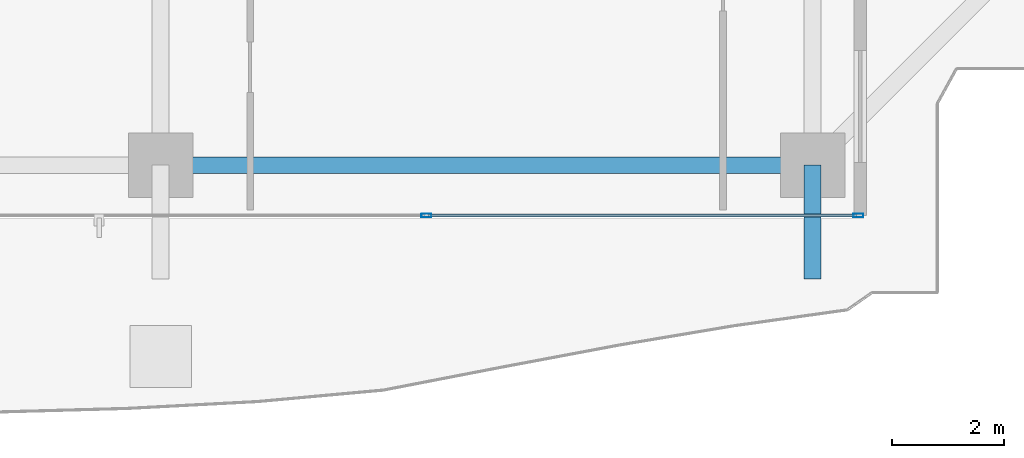
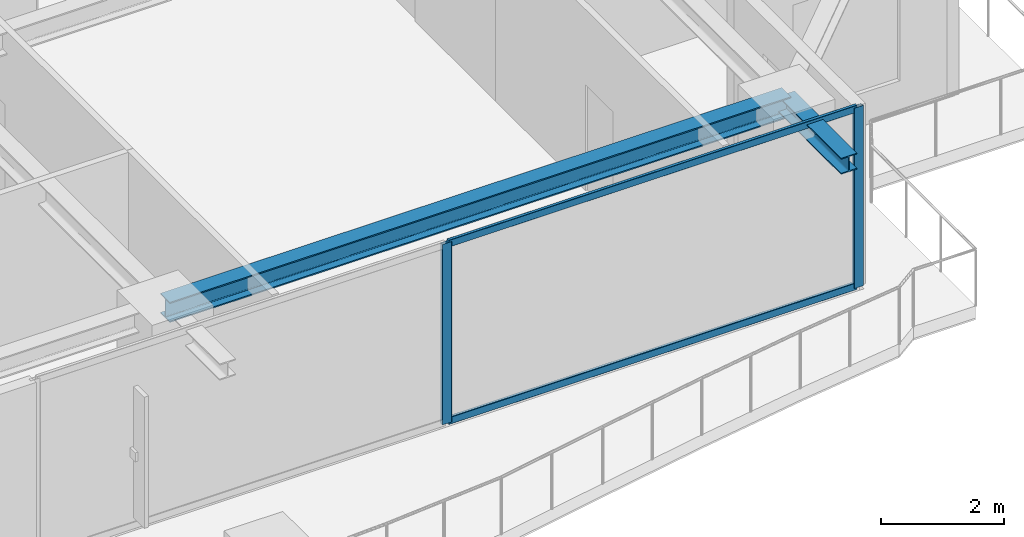
# One storey, part 11 of 37: 4 members, 2 beams, 1 element without a shape of its own.
"""IFC4 building model written with IfcOpenShell, lengths in metres."""

from ifc_helpers import new_model, si_unit, direction, frame, origin, origin_2d, place, context, subcontext, project, spatial, hollow_rectangle, i_section, extrude, source, transform, mapped, material, layer, layer_set, material_profile, profile_set, type_object, element, aggregate, save


model = new_model("IFC4")

# Units and contexts
model_context = context("Model", 3, precision=1e-05, world=origin(), true_north=direction((0.0, 1.0)))
body_context = subcontext(model_context, "Body", "Model", "MODEL_VIEW")
ifc_project = project(units=[si_unit("LENGTHUNIT", "METRE"), si_unit("AREAUNIT", "SQUARE_METRE"), si_unit("VOLUMEUNIT", "CUBIC_METRE"), si_unit("PLANEANGLEUNIT", "RADIAN"), si_unit("MASSUNIT", "GRAM", prefix="KILO")], contexts=[model_context])

# Site, building, storey
site_placement = place(None, origin())
site = spatial("IfcSite", under=ifc_project, at=site_placement, CompositionType="ELEMENT")
building_placement = place(site_placement, origin())
building = spatial("IfcBuilding", under=site, at=building_placement, Name="Serunith Strait Residences", CompositionType="ELEMENT")
storey_placement = place(building_placement, frame((0.0, 0.0, 218.14990234375)))
storey = spatial("IfcBuildingStorey", under=building, at=storey_placement, Name="L54", CompositionType="ELEMENT", Elevation=218.14990234375)

# Beams
ifc_material_1 = material(Name="Steel S355J2", Category="steel")
ifc_material_profile_1 = material_profile(ifc_material_1, i_section(OverallWidth=0.300048828125, OverallDepth=0.39990234375, WebThickness=0.013427734375, FlangeThickness=0.02392578125, FilletRadius=0.027099609375, at=origin_2d()), Name="HEB 400")
ifc_profile_set_1 = profile_set([ifc_material_profile_1], Name="Steel S355J2")
beam_type_1 = type_object("IfcBeamType", Name="BM-HEB400", PredefinedType="BEAM", material=ifc_profile_set_1)
shared_shape_1 = source(origin(), body_context, "Body", "SweptSolid", [
    extrude(i_section(OverallWidth=0.300048828125, OverallDepth=0.39990234375, WebThickness=0.013427734375, FlangeThickness=0.02392578125, FilletRadius=0.027099609375, at=origin_2d()), origin(), (0.0, 0.0, 1.0), 11.650146484375),
])
beam_1_placement = place(storey_placement, frame((36.89990234375, 2.10009765625, 3.38720703125), z_axis=(1.0, 0.0, 0.0), x_axis=(0.0, 1.0, 0.0)))
element("IfcBeam", 1, at=beam_1_placement, inside=storey, type_object=beam_type_1, Name="L54 Perimeter Ring Beam 03", PredefinedType="BEAM", context=body_context, shape_type="MappedRepresentation", body=[
    mapped(shared_shape_1, transform((0.0, 0.0, 0.0), scale=1.0)),
])
ifc_material_profile_2 = material_profile(ifc_material_1, i_section(OverallWidth=0.300048828125, OverallDepth=0.320068359375, WebThickness=0.011474609375, FlangeThickness=0.0205078125, FilletRadius=0.027099609375, at=origin_2d()), Name="HEB 320")
ifc_profile_set_2 = profile_set([ifc_material_profile_2], Name="Steel S355J2")
beam_type_2 = type_object("IfcBeamType", Name="BM-HEB320", PredefinedType="BEAM", material=ifc_profile_set_2)
shared_shape_2 = source(origin(), body_context, "Body", "SweptSolid", [
    extrude(i_section(OverallWidth=0.300048828125, OverallDepth=0.320068359375, WebThickness=0.011474609375, FlangeThickness=0.0205078125, FilletRadius=0.027099609375, at=origin_2d()), origin(), (0.0, 0.0, 1.0), 2.030029296875),
])
beam_2_placement = place(storey_placement, frame((48.550048828125, 2.10009765625, 3.397216796875), z_axis=(0.0, -1.0, 0.0), x_axis=(1.0, 0.0, 0.0)))
element("IfcBeam", 2, at=beam_2_placement, inside=storey, type_object=beam_type_2, Name="L55 Cantilevered Balcony Rib TC-S4", PredefinedType="BEAM", context=body_context, shape_type="MappedRepresentation", body=[
    mapped(shared_shape_2, transform((0.0, 0.0, 0.0), scale=1.0)),
])

# Curtain wall, members
ifc_material_2 = material(Name="Pale-Champagne Anodised Aluminium", Category="aluminium")
ifc_layer = layer(ifc_material_2, 0.199951171875, Name="Pale-Champagne Anodised Aluminium")
ifc_layer_set = layer_set([ifc_layer], Name="Pale-Champagne Anodised Aluminium")
curtain_wall_type = type_object("IfcCurtainWallType", Name="CW-SYS4", PredefinedType="NOTDEFINED", material=ifc_layer_set)
curtain_wall_placement = place(storey_placement, origin())
curtain_wall = element("IfcCurtainWall", 3, at=curtain_wall_placement, inside=storey, type_object=curtain_wall_type, Name="L54 S Unitised Fritted Curtain Wall", PredefinedType="NOTDEFINED")
ifc_material_profile_3 = material_profile(ifc_material_2, hollow_rectangle(XDim=0.06005859375, YDim=0.139892578125, WallThickness=0.00341796875, InnerFilletRadius=0.00537109375, OuterFilletRadius=0.0087890625, at=origin_2d()), Name="ALU 140x60x3.5")
ifc_profile_set_3 = profile_set([ifc_material_profile_3], Name="Pale-Champagne Anodised Aluminium")
member_type_1 = type_object("IfcMemberType", Name="CW-SYS4-TRAN", PredefinedType="USERDEFINED", material=ifc_profile_set_3)
shared_shape_3 = source(origin(), body_context, "Body", "SweptSolid", [
    extrude(hollow_rectangle(XDim=0.06005859375, YDim=0.139892578125, WallThickness=0.00341796875, InnerFilletRadius=0.00537109375, OuterFilletRadius=0.0087890625, at=origin_2d()), origin(), (0.0, 0.0, 1.0), 7.65234375),
])
member_1_placement = place(storey_placement, frame((41.6826171875, 1.199951171875, 0.030029296875), z_axis=(1.0, 0.0, 0.0), x_axis=(0.0, 1.0, 0.0)))
member_1 = element("IfcMember", 4, at=member_1_placement, type_object=member_type_1, Name="CW-4 transom 2.1", ObjectType="TRANSOM", PredefinedType="USERDEFINED", context=body_context, shape_type="MappedRepresentation", body=[
    mapped(shared_shape_3, transform((0.0, 0.0, 0.0), scale=1.0)),
])
member_2_placement = place(storey_placement, frame((41.6826171875, 1.199951171875, 3.545166015625), z_axis=(1.0, 0.0, 0.0), x_axis=(0.0, 1.0, 0.0)))
member_2 = element("IfcMember", 5, at=member_2_placement, type_object=member_type_1, Name="CW-4 transom 2.2", ObjectType="TRANSOM", PredefinedType="USERDEFINED", context=body_context, shape_type="MappedRepresentation", body=[
    mapped(shared_shape_3, transform((0.0, 0.0, 0.0), scale=1.0)),
])
ifc_material_profile_4 = material_profile(ifc_material_2, hollow_rectangle(XDim=0.06494140625, YDim=0.179931640625, WallThickness=0.00341796875, InnerFilletRadius=0.00537109375, OuterFilletRadius=0.0087890625, at=origin_2d()), Name="ALU 180x65x3.5")
ifc_profile_set_4 = profile_set([ifc_material_profile_4], Name="Pale-Champagne Anodised Aluminium")
member_type_2 = type_object("IfcMemberType", Name="CW-SYS4-MULL", PredefinedType="MULLION", material=ifc_profile_set_4)
shared_shape_4 = source(origin(), body_context, "Body", "SweptSolid", [
    extrude(hollow_rectangle(XDim=0.06494140625, YDim=0.179931640625, WallThickness=0.00341796875, InnerFilletRadius=0.00537109375, OuterFilletRadius=0.0087890625, at=origin_2d()), origin(), (0.0, 0.0, 1.0), 3.5751953125),
])
member_3_placement = place(storey_placement, frame((41.64990234375, 1.199951171875, 0.0), z_axis=(0.0, 0.0, 1.0), x_axis=(0.0, 1.0, 0.0)))
member_3 = element("IfcMember", 6, at=member_3_placement, type_object=member_type_2, Name="CW-4 mullion 2", PredefinedType="MULLION", context=body_context, shape_type="MappedRepresentation", body=[
    mapped(shared_shape_4, transform((0.0, 0.0, 0.0), scale=1.0)),
])
member_4_placement = place(storey_placement, frame((49.367431640625, 1.199951171875, 0.0), z_axis=(0.0, 0.0, 1.0), x_axis=(0.0, 1.0, 0.0)))
member_4 = element("IfcMember", 7, at=member_4_placement, type_object=member_type_2, Name="CW-4 mullion 3", PredefinedType="MULLION", context=body_context, shape_type="MappedRepresentation", body=[
    mapped(shared_shape_4, transform((0.0, 0.0, 0.0), scale=1.0)),
])
aggregate(curtain_wall, [member_3, member_4, member_1, member_2])

save(model, "model.ifc")
